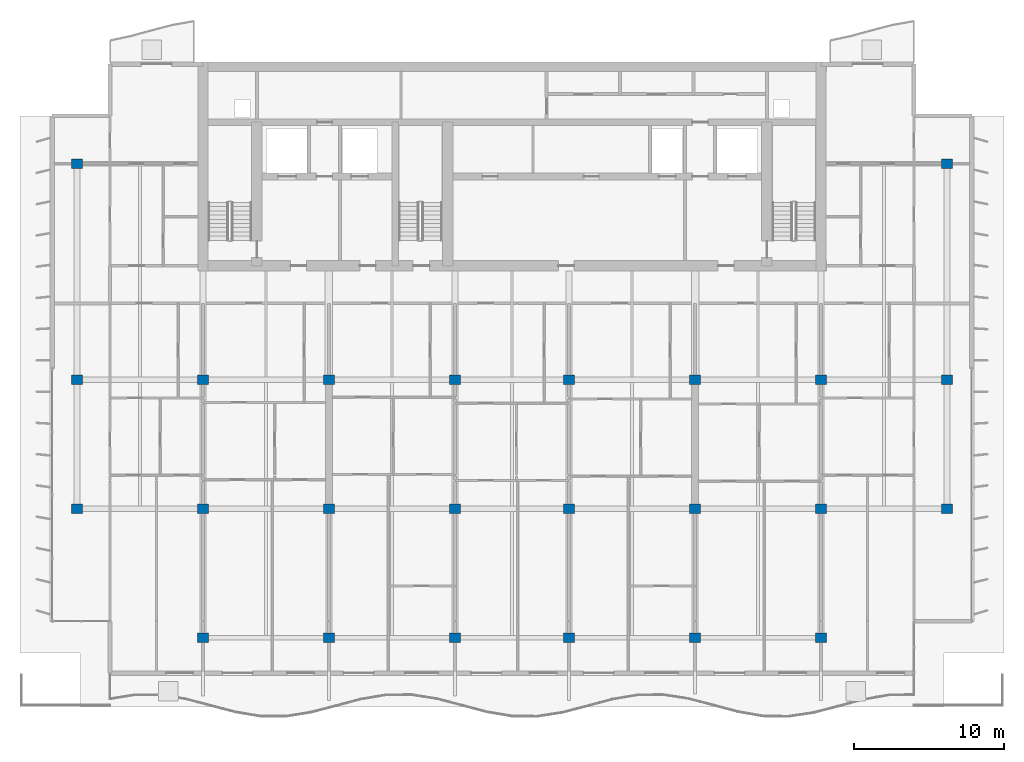
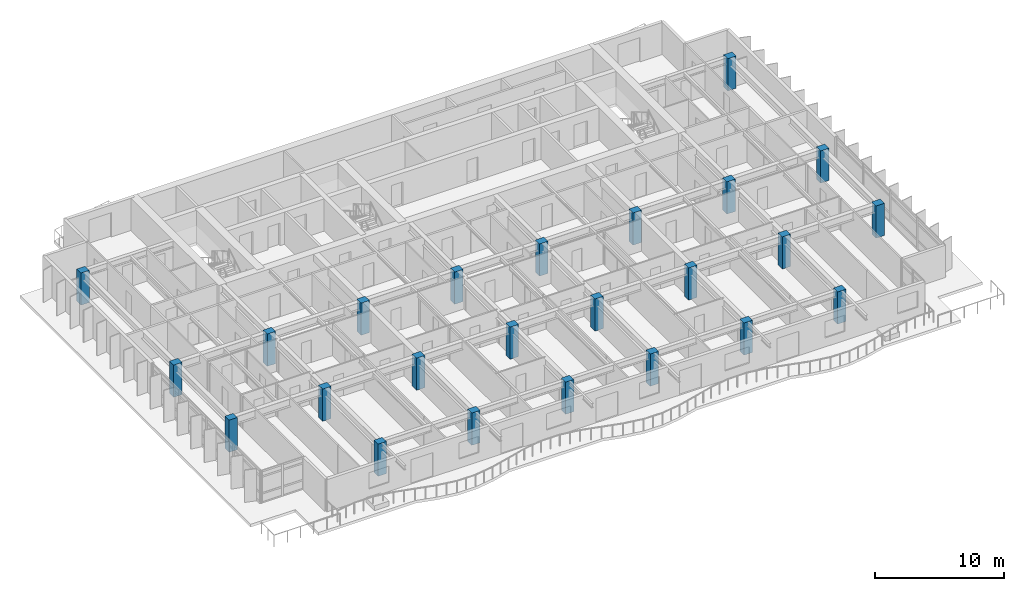
# One storey, part 1 of 17: 24 columns.
"""IFC4 building model written with IfcOpenShell, lengths in metres."""

from ifc_helpers import new_model, si_unit, direction, frame, origin, origin_2d, place, context, subcontext, project, spatial, rectangle, extrude, material, material_profile, profile_set, type_object, element, save


model = new_model("IFC4")

# Units and contexts
model_context = context("Model", 3, precision=1e-05, world=origin(), true_north=direction((0.0, 1.0)))
body_context = subcontext(model_context, "Body", "Model", "MODEL_VIEW")
ifc_project = project(units=[si_unit("LENGTHUNIT", "METRE"), si_unit("AREAUNIT", "SQUARE_METRE"), si_unit("VOLUMEUNIT", "CUBIC_METRE"), si_unit("PLANEANGLEUNIT", "RADIAN"), si_unit("MASSUNIT", "GRAM", prefix="KILO")], contexts=[model_context])

# Site, building, storey
site_placement = place(None, origin())
site = spatial("IfcSite", under=ifc_project, at=site_placement, CompositionType="ELEMENT")
building_placement = place(site_placement, origin())
building = spatial("IfcBuilding", under=site, at=building_placement, Name="Caelmar Bay Residences", CompositionType="ELEMENT")
storey_placement = place(building_placement, frame((0.0, 0.0, 226.5)))
storey = spatial("IfcBuildingStorey", under=building, at=storey_placement, Name="L63", CompositionType="ELEMENT", Elevation=226.5)

# Columns
ifc_material = material(Name="Concrete f'c 55 MPa (8,000 psi)", Category="concrete")
ifc_material_profile = material_profile(ifc_material, rectangle(XDim=0.75, YDim=0.64990234375, at=origin_2d()), Name="RC-COL-750X650")
ifc_profile_set = profile_set([ifc_material_profile], Name="Concrete f'c 55 MPa (8,000 psi)")
column_type = type_object("IfcColumnType", Name="COL-RC-750X650", PredefinedType="COLUMN", material=ifc_profile_set)
for number, where, z_axis, x_axis, name in (
    (1, (18.300048828125, 12.199951171875, 0.0), (0.0, 0.0, 1.0), (1.0, 0.0, 0.0), "L63 Column (18.30,12.20)"),
    (2, (26.699951171875, 12.199951171875, 0.0), (0.0, 0.0, 1.0), (1.0, 0.0, 0.0), "L63 Column (26.70,12.20)"),
    (3, (35.10009765625, 12.199951171875, 0.0), (0.0, 0.0, 1.0), (1.0, 0.0, 0.0), "L63 Column (35.10,12.20)"),
    (4, (42.699951171875, 12.199951171875, 0.0), (0.0, 0.0, 1.0), (1.0, 0.0, 0.0), "L63 Column (42.70,12.20)"),
    (5, (51.10009765625, 12.199951171875, 0.0), (0.0, 0.0, 1.0), (1.0, 0.0, 0.0), "L63 Column (51.10,12.20)"),
    (6, (59.5, 12.199951171875, 0.0), (0.0, 0.0, 1.0), (1.0, 0.0, 0.0), "L63 Column (59.50,12.20)"),
    (7, (9.89990234375, 20.800048828125, 0.0), (0.0, 0.0, 1.0), (1.0, 0.0, 0.0), "L63 Column (9.90,20.80)"),
    (8, (18.300048828125, 20.800048828125, 0.0), (0.0, 0.0, 1.0), (1.0, 0.0, 0.0), "L63 Column (18.30,20.80)"),
    (9, (26.699951171875, 20.800048828125, 0.0), (0.0, 0.0, 1.0), (1.0, 0.0, 0.0), "L63 Column (26.70,20.80)"),
    (10, (35.10009765625, 20.800048828125, 0.0), (0.0, 0.0, 1.0), (1.0, 0.0, 0.0), "L63 Column (35.10,20.80)"),
    (11, (42.699951171875, 20.800048828125, 0.0), (0.0, 0.0, 1.0), (1.0, 0.0, 0.0), "L63 Column (42.70,20.80)"),
    (12, (51.10009765625, 20.800048828125, 0.0), (0.0, 0.0, 1.0), (1.0, 0.0, 0.0), "L63 Column (51.10,20.80)"),
    (13, (59.5, 20.800048828125, 0.0), (0.0, 0.0, 1.0), (1.0, 0.0, 0.0), "L63 Column (59.50,20.80)"),
    (14, (67.89990234375, 20.800048828125, 0.0), (0.0, 0.0, 1.0), (1.0, 0.0, 0.0), "L63 Column (67.90,20.80)"),
    (15, (9.89990234375, 29.39990234375, 0.0), (0.0, 0.0, 1.0), (1.0, 0.0, 0.0), "L63 Column (9.90,29.40)"),
    (16, (18.300048828125, 29.39990234375, 0.0), (0.0, 0.0, 1.0), (1.0, 0.0, 0.0), "L63 Column (18.30,29.40)"),
    (17, (26.699951171875, 29.39990234375, 0.0), (0.0, 0.0, 1.0), (1.0, 0.0, 0.0), "L63 Column (26.70,29.40)"),
    (18, (35.10009765625, 29.39990234375, 0.0), (0.0, 0.0, 1.0), (1.0, 0.0, 0.0), "L63 Column (35.10,29.40)"),
    (19, (42.699951171875, 29.39990234375, 0.0), (0.0, 0.0, 1.0), (1.0, 0.0, 0.0), "L63 Column (42.70,29.40)"),
    (20, (51.10009765625, 29.39990234375, 0.0), (0.0, 0.0, 1.0), (1.0, 0.0, 0.0), "L63 Column (51.10,29.40)"),
    (21, (59.5, 29.39990234375, 0.0), (0.0, 0.0, 1.0), (1.0, 0.0, 0.0), "L63 Column (59.50,29.40)"),
    (22, (67.89990234375, 29.39990234375, 0.0), (0.0, 0.0, 1.0), (1.0, 0.0, 0.0), "L63 Column (67.90,29.40)"),
    (23, (9.89990234375, 43.800048828125, 0.0), (0.0, 0.0, 1.0), (1.0, 0.0, 0.0), "L63 Column (9.90,43.80)"),
    (24, (67.89990234375, 43.800048828125, 0.0), (0.0, 0.0, 1.0), (1.0, 0.0, 0.0), "L63 Column (67.90,43.80)"),
):
    element("IfcColumn", number, at=place(storey_placement, frame(where, z_axis=z_axis, x_axis=x_axis)), inside=storey, type_object=column_type, Name=name, PredefinedType="COLUMN", context=body_context, shape_type="SweptSolid", body=[
        extrude(rectangle(XDim=0.75, YDim=0.64990234375, at=origin_2d()), origin(), (0.0, 0.0, 1.0), 3.050048828125),
    ])

save(model, "model.ifc")
